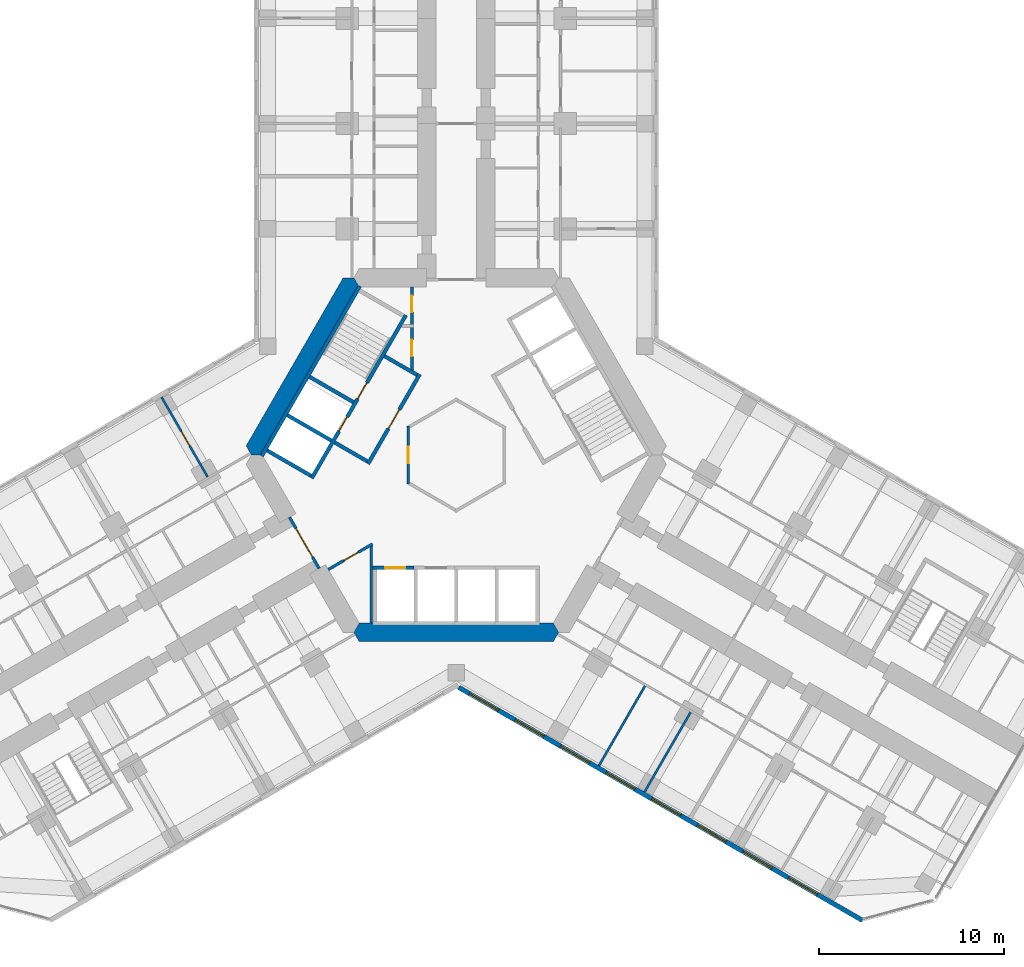
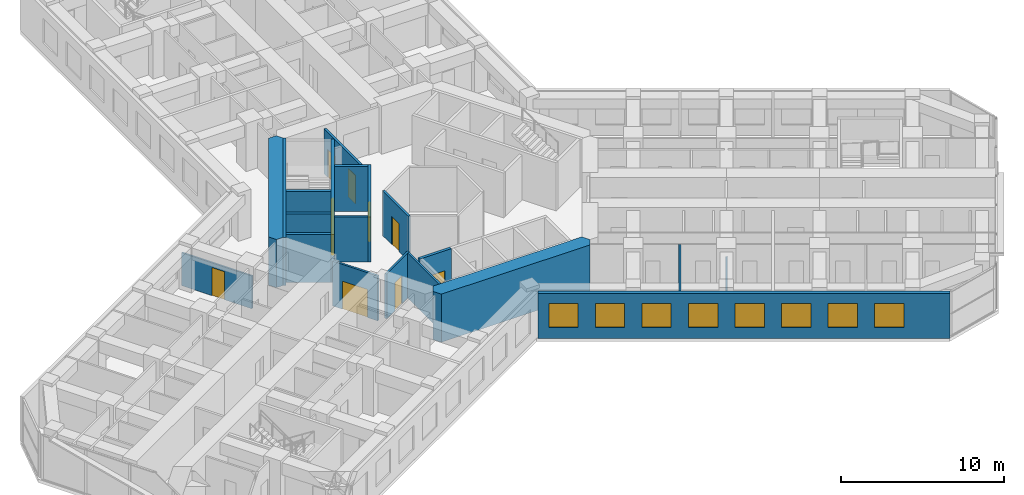
# One storey, part 13 of 21: 20 walls, 10 doors, 8 windows, 18 openings.
"""IFC4 building model written with IfcOpenShell, lengths in metres."""

from ifc_helpers import new_model, si_unit, direction, frame, frame_2d, origin, place, context, subcontext, project, spatial, polyline, rectangle, outline, extrude, material, layer, layer_set, type_object, element, fill, save


model = new_model("IFC4")

# Units and contexts
model_context = context("Model", 3, precision=1e-05, world=origin(), true_north=direction((0.0, 1.0)))
body_context = subcontext(model_context, "Body", "Model", "MODEL_VIEW")
ifc_project = project(units=[si_unit("LENGTHUNIT", "METRE"), si_unit("AREAUNIT", "SQUARE_METRE"), si_unit("VOLUMEUNIT", "CUBIC_METRE"), si_unit("PLANEANGLEUNIT", "RADIAN"), si_unit("MASSUNIT", "GRAM", prefix="KILO")], contexts=[model_context])

# Site, building, storey
site_placement = place(None, origin())
site = spatial("IfcSite", under=ifc_project, at=site_placement, CompositionType="ELEMENT")
building_placement = place(site_placement, origin())
building = spatial("IfcBuilding", under=site, at=building_placement, Name="Kosmar Iwan School Tower", CompositionType="ELEMENT")
storey_placement = place(building_placement, frame((0.0, 0.0, 102.39990234375)))
storey = spatial("IfcBuildingStorey", under=building, at=storey_placement, Name="L25", CompositionType="ELEMENT", Elevation=102.39990234375)

# Wall, openings, doors
ifc_material_1 = material(Name="Gypsum board on steel studs, fire-rated", Category="steel")
ifc_layer_1 = layer(ifc_material_1, 0.14990234375)
ifc_layer_set_1 = layer_set([ifc_layer_1], Name="Core room partition 150")
wall_type_1 = type_object("IfcWallType", Name="Core room partition 150", PredefinedType="PARTITIONING", material=ifc_layer_set_1)
wall_1_placement = place(storey_placement, frame((-2.39990234375, 9.094970703125, 0.0), z_axis=(0.0, 0.0, 1.0), x_axis=(0.0, -1.0, 0.0)))
wall_1 = element("IfcWall", 1, at=wall_1_placement, inside=storey, type_object=wall_type_1, Name="Core room partition L25-CW1", PredefinedType="PARTITIONING", context=body_context, shape_type="SweptSolid", body=[
    extrude(rectangle(XDim=4.564208984375, YDim=0.14990234375, at=frame_2d((2.2822265625, 0.0))), origin(), (0.0, 0.0, 1.0), 3.35009765625),
])
opening_1_placement = place(wall_1_placement, frame((0.455078125, 0.0, 0.0)))
opening_1 = element("IfcOpeningElement", 2, at=opening_1_placement, cuts=wall_1, Name="Opening D14", PredefinedType="OPENING", context=body_context, shape_type="SweptSolid", body=[
    extrude(rectangle(XDim=0.89990234375, YDim=2.10009765625, at=frame_2d((0.449951171875, 1.050048828125))), frame((0.0, 0.0869140625, 0.0), z_axis=(0.0, -1.0, 0.0), x_axis=(1.0, 0.0, 0.0)), (0.0, 0.0, 1.0), 0.173828125),
])
opening_2_placement = place(wall_1_placement, frame((2.85498046875, 0.0, 0.0)))
opening_2 = element("IfcOpeningElement", 3, at=opening_2_placement, cuts=wall_1, Name="Opening D14", PredefinedType="OPENING", context=body_context, shape_type="SweptSolid", body=[
    extrude(rectangle(XDim=0.89990234375, YDim=2.10009765625, at=frame_2d((0.449951171875, 1.050048828125))), frame((0.0, 0.0869140625, 0.0), z_axis=(0.0, -1.0, 0.0), x_axis=(1.0, 0.0, 0.0)), (0.0, 0.0, 1.0), 0.173828125),
])
ifc_material_2 = material(Name="Timber fire door in steel frame", Category="steel")
door_type_1 = type_object("IfcDoorType", Name="Core room door 900x2100", OperationType="SINGLE_SWING_LEFT", PredefinedType="DOOR", material=ifc_material_2)
door_1_placement = place(opening_1_placement, origin())
door_1 = element("IfcDoor", 4, at=door_1_placement, inside=storey, type_object=door_type_1, Name="Electrical riser and switch room door L25 1", OperationType="SINGLE_SWING_LEFT", OverallHeight=2.10009765625, OverallWidth=0.89990234375, PredefinedType="DOOR", context=body_context, shape_type="SweptSolid", body=[
    extrude(rectangle(XDim=0.89990234375, YDim=2.10009765625, at=frame_2d((0.449951171875, 1.050048828125))), frame((0.0, 0.02490234375, 0.0), z_axis=(0.0, -1.0, 0.0), x_axis=(1.0, 0.0, 0.0)), (0.0, 0.0, 1.0), 0.050048828125),
])
fill(opening_1, door_1)
door_2_placement = place(opening_2_placement, origin())
door_2 = element("IfcDoor", 5, at=door_2_placement, inside=storey, type_object=door_type_1, Name="Plumbing and wet riser door L25 2", OperationType="SINGLE_SWING_RIGHT", OverallHeight=2.10009765625, OverallWidth=0.89990234375, PredefinedType="DOOR", context=body_context, shape_type="SweptSolid", body=[
    extrude(rectangle(XDim=0.89990234375, YDim=2.10009765625, at=frame_2d((0.449951171875, 1.050048828125))), frame((0.0, 0.02490234375, 0.0), z_axis=(0.0, -1.0, 0.0), x_axis=(1.0, 0.0, 0.0)), (0.0, 0.0, 1.0), 0.050048828125),
])
fill(opening_2, door_2)

# Wall, opening, door
wall_2_placement = place(storey_placement, frame((-2.60009765625, -1.576171875, 0.0), z_axis=(0.0, 0.0, 1.0), x_axis=(0.0, 1.0, 0.0)))
wall_2 = element("IfcWall", 6, at=wall_2_placement, inside=storey, type_object=wall_type_1, Name="Core room partition L25-CW6", PredefinedType="PARTITIONING", context=body_context, shape_type="SweptSolid", body=[
    extrude(rectangle(XDim=3.15234375, YDim=0.14990234375, at=frame_2d((1.576171875, 0.0))), origin(), (0.0, 0.0, 1.0), 3.35009765625),
])
opening_3_placement = place(wall_2_placement, frame((1.1259765625, 0.0, 0.0)))
opening_3 = element("IfcOpeningElement", 7, at=opening_3_placement, cuts=wall_2, Name="Opening D14", PredefinedType="OPENING", context=body_context, shape_type="SweptSolid", body=[
    extrude(rectangle(XDim=0.89990234375, YDim=2.10009765625, at=frame_2d((0.449951171875, 1.050048828125))), frame((0.0, 0.0869140625, 0.0), z_axis=(0.0, -1.0, 0.0), x_axis=(1.0, 0.0, 0.0)), (0.0, 0.0, 1.0), 0.173828125),
])
door_3_placement = place(opening_3_placement, origin())
door_3 = element("IfcDoor", 8, at=door_3_placement, inside=storey, type_object=door_type_1, Name="Parcel room door L25 3", OperationType="SINGLE_SWING_LEFT", OverallHeight=2.10009765625, OverallWidth=0.89990234375, PredefinedType="DOOR", context=body_context, shape_type="SweptSolid", body=[
    extrude(rectangle(XDim=0.89990234375, YDim=2.10009765625, at=frame_2d((0.449951171875, 1.050048828125))), frame((0.0, 0.02490234375, 0.0), z_axis=(0.0, -1.0, 0.0), x_axis=(1.0, 0.0, 0.0)), (0.0, 0.0, 1.0), 0.050048828125),
])
fill(opening_3, door_3)

wall_3_placement = place(storey_placement, frame((-6.930908203125, -6.195556640625, 0.0), z_axis=(0.0, 0.0, 1.0), x_axis=(0.866007755774, 0.500030566006, 0.0)))
wall_3 = element("IfcWall", 9, at=wall_3_placement, inside=storey, type_object=wall_type_1, Name="Core room partition L25-CW10", PredefinedType="PARTITIONING", context=body_context, shape_type="SweptSolid", body=[
    extrude(rectangle(XDim=2.766357421875, YDim=0.14990234375, at=frame_2d((1.38330078125, 0.0))), origin(), (0.0, 0.0, 1.0), 3.35009765625),
])
opening_4_placement = place(wall_3_placement, frame((0.97607421875, 0.0, 0.0)))
opening_4 = element("IfcOpeningElement", 10, at=opening_4_placement, cuts=wall_3, Name="Opening D14", PredefinedType="OPENING", context=body_context, shape_type="SweptSolid", body=[
    extrude(rectangle(XDim=0.89990234375, YDim=2.10009765625, at=frame_2d((0.449951171875, 1.050048828125))), frame((0.0, 0.0869140625, 0.0), z_axis=(0.0, -1.0, 0.0), x_axis=(1.0, 0.0, 0.0)), (0.0, 0.0, 1.0), 0.173828125),
])
door_4_placement = place(opening_4_placement, origin())
door_4 = element("IfcDoor", 11, at=door_4_placement, inside=storey, type_object=door_type_1, Name="Cleaner's store door L25 4", OperationType="SINGLE_SWING_RIGHT", OverallHeight=2.10009765625, OverallWidth=0.89990234375, PredefinedType="DOOR", context=body_context, shape_type="SweptSolid", body=[
    extrude(rectangle(XDim=0.89990234375, YDim=2.10009765625, at=frame_2d((0.449951171875, 1.050048828125))), frame((0.0, 0.02490234375, 0.0), z_axis=(0.0, -1.0, 0.0), x_axis=(1.0, 0.0, 0.0)), (0.0, 0.0, 1.0), 0.050048828125),
])
fill(opening_4, door_4)

# Walls
wall_4_placement = place(storey_placement, frame((-4.60009765625, -4.774658203125, 0.0), z_axis=(0.0, 0.0, 1.0), x_axis=(0.0, -1.0, 0.0)))
element("IfcWall", 12, at=wall_4_placement, inside=storey, type_object=wall_type_1, Name="Core room partition L25-CW11", PredefinedType="PARTITIONING", context=body_context, shape_type="SweptSolid", body=[
    extrude(rectangle(XDim=4.3203125, YDim=0.14990234375, at=frame_2d((2.16015625, 0.0))), origin(), (0.0, 0.0, 1.0), 3.35009765625),
])
ifc_material_3 = material(Name="Concrete C50/60", Category="concrete")
ifc_layer_2 = layer(ifc_material_3, 1.0)
ifc_layer_set_2 = layer_set([ifc_layer_2], Name="Core wall 1000")
wall_type_2 = type_object("IfcWallType", Name="Core wall 1000", PredefinedType="SHEAR", material=ifc_layer_set_2)
wall_5_placement = place(storey_placement, origin())
element("IfcWall", 13, at=wall_5_placement, inside=storey, type_object=wall_type_2, Name="Core wall F150", PredefinedType="SHEAR", context=body_context, shape_type="SweptSolid", body=[
    extrude(outline(polyline([(-11.085205078125, 0.0), (-10.5078125, 0.0), (-5.25390625, 9.10009765625), (-5.54248046875, 9.60009765625), (-6.119873046875, 9.60009765625), (-11.373779296875, 0.5), (-11.085205078125, 0.0)])), origin(), (0.0, 0.0, 1.0), 3.60009765625),
])
wall_6_placement = place(storey_placement, origin())
element("IfcWall", 14, at=wall_6_placement, inside=storey, type_object=wall_type_2, Name="Core wall F270", PredefinedType="SHEAR", context=body_context, shape_type="SweptSolid", body=[
    extrude(outline(polyline([(-5.25390625, -10.10009765625), (5.25390625, -10.10009765625), (5.54248046875, -9.60009765625), (5.25390625, -9.10009765625), (-5.25390625, -9.10009765625), (-5.54248046875, -9.60009765625), (-5.25390625, -10.10009765625)])), origin(), (0.0, 0.0, 1.0), 3.60009765625),
])

# Wall, opening, door
ifc_material_4 = material(Name="Steel framed glazed screen", Category="steel")
ifc_layer_3 = layer(ifc_material_4, 0.14990234375)
ifc_layer_set_3 = layer_set([ifc_layer_3], Name="Corridor screen wall 150")
wall_type_3 = type_object("IfcWallType", Name="Corridor screen wall 150", PredefinedType="PARTITIONING", material=ifc_layer_set_3)
wall_7_placement = place(storey_placement, frame((-9.02734375, -3.3642578125, 0.0), z_axis=(0.0, 0.0, 1.0), x_axis=(0.499995408039, -0.866028054938, 0.0)))
wall_7 = element("IfcWall", 15, at=wall_7_placement, inside=storey, type_object=wall_type_3, Name="Corridor screen B L25", PredefinedType="PARTITIONING", context=body_context, shape_type="SweptSolid", body=[
    extrude(rectangle(XDim=3.2001953125, YDim=0.14990234375, at=frame_2d((1.60009765625, 0.0))), origin(), (0.0, 0.0, 1.0), 3.35009765625),
])
opening_5_placement = place(wall_7_placement, frame((0.699951171875, 0.0, 0.0)))
opening_5 = element("IfcOpeningElement", 16, at=opening_5_placement, cuts=wall_7, Name="Opening D9", PredefinedType="OPENING", context=body_context, shape_type="SweptSolid", body=[
    extrude(rectangle(XDim=1.800048828125, YDim=2.10009765625, at=frame_2d((0.89990234375, 1.050048828125))), frame((0.0, 0.0869140625, 0.0), z_axis=(0.0, -1.0, 0.0), x_axis=(1.0, 0.0, 0.0)), (0.0, 0.0, 1.0), 0.173828125),
])
ifc_material_5 = material(Name="Steel framed glazed smoke door", Category="steel")
door_type_2 = type_object("IfcDoorType", Name="Corridor smoke door pair 1800x2100", OperationType="DOUBLE_DOOR_DOUBLE_SWING", PredefinedType="DOOR", material=ifc_material_5)
door_5_placement = place(opening_5_placement, origin())
door_5 = element("IfcDoor", 17, at=door_5_placement, inside=storey, type_object=door_type_2, Name="Corridor doors B L25", OperationType="DOUBLE_DOOR_DOUBLE_SWING", OverallHeight=2.10009765625, OverallWidth=1.800048828125, PredefinedType="DOOR", context=body_context, shape_type="SweptSolid", body=[
    extrude(rectangle(XDim=1.800048828125, YDim=2.10009765625, at=frame_2d((0.89990234375, 1.050048828125))), frame((0.0, 0.02490234375, 0.0), z_axis=(0.0, -1.0, 0.0), x_axis=(1.0, 0.0, 0.0)), (0.0, 0.0, 1.0), 0.050048828125),
])
fill(opening_5, door_5)

ifc_material_6 = material(Name="Gypsum board on steel studs", Category="steel")
ifc_layer_4 = layer(ifc_material_6, 0.1201171875)
ifc_layer_set_4 = layer_set([ifc_layer_4], Name="Dwelling partition 120")
wall_type_4 = type_object("IfcWallType", Name="Dwelling partition 120", PredefinedType="PARTITIONING", material=ifc_layer_set_4)
wall_8_placement = place(storey_placement, frame((-13.4638671875, -1.179931640625, 0.0), z_axis=(0.0, 0.0, 1.0), x_axis=(-0.499975153383, 0.86603974851, 0.0)))
wall_8 = element("IfcWall", 18, at=wall_8_placement, inside=storey, type_object=wall_type_4, Name="Partition L25-BR1-X1", PredefinedType="PARTITIONING", context=body_context, shape_type="SweptSolid", body=[
    extrude(rectangle(XDim=4.989990234375, YDim=0.1201171875, at=frame_2d((2.4951171875, 0.0))), origin(), (0.0, 0.0, 1.0), 2.4501953125),
])
opening_6_placement = place(wall_8_placement, frame((1.93994140625, 0.0, 0.0)))
opening_6 = element("IfcOpeningElement", 19, at=opening_6_placement, cuts=wall_8, Name="Opening D2", PredefinedType="OPENING", context=body_context, shape_type="SweptSolid", body=[
    extrude(rectangle(XDim=0.89990234375, YDim=2.10009765625, at=frame_2d((0.449951171875, 1.050048828125))), frame((0.0, 0.072021484375, 0.0), z_axis=(0.0, -1.0, 0.0), x_axis=(1.0, 0.0, 0.0)), (0.0, 0.0, 1.0), 0.14404296875),
])
ifc_material_7 = material(Name="Timber door in timber frame", Category="wood")
door_type_3 = type_object("IfcDoorType", Name="Internal door 900x2100", OperationType="SINGLE_SWING_LEFT", PredefinedType="DOOR", material=ifc_material_7)
door_6_placement = place(opening_6_placement, origin())
door_6 = element("IfcDoor", 20, at=door_6_placement, inside=storey, type_object=door_type_3, Name="Kitchen and dining room door L25-BR1-F1", OperationType="SINGLE_SWING_LEFT", OverallHeight=2.10009765625, OverallWidth=0.89990234375, PredefinedType="DOOR", context=body_context, shape_type="SweptSolid", body=[
    extrude(rectangle(XDim=0.89990234375, YDim=2.10009765625, at=frame_2d((0.449951171875, 1.050048828125))), frame((0.0, 0.02490234375, 0.0), z_axis=(0.0, -1.0, 0.0), x_axis=(1.0, 0.0, 0.0)), (0.0, 0.0, 1.0), 0.050048828125),
])
fill(opening_6, door_6)

# Walls
wall_9_placement = place(storey_placement, frame((10.221923828125, -12.4951171875, 0.0), z_axis=(0.0, 0.0, 1.0), x_axis=(-0.499996339024, -0.86602751744, 0.0)))
element("IfcWall", 21, at=wall_9_placement, inside=storey, type_object=wall_type_4, Name="Partition L25-CR1-X1", PredefinedType="PARTITIONING", context=body_context, shape_type="SweptSolid", body=[
    extrude(rectangle(XDim=4.98974609375, YDim=0.1201171875, at=frame_2d((2.494873046875, 0.0))), origin(), (0.0, 0.0, 1.0), 3.35009765625),
])
wall_10_placement = place(storey_placement, frame((12.690185546875, -13.919921875, 0.0), z_axis=(0.0, 0.0, 1.0), x_axis=(-0.500011847778, -0.866018563358, 0.0)))
element("IfcWall", 22, at=wall_10_placement, inside=storey, type_object=wall_type_4, Name="Partition L25-CR1-X2", PredefinedType="PARTITIONING", context=body_context, shape_type="SweptSolid", body=[
    extrude(rectangle(XDim=4.990234375, YDim=0.1201171875, at=frame_2d((2.4951171875, 0.0))), origin(), (0.0, 0.0, 1.0), 2.4501953125),
])

# Wall, openings, windows
ifc_material_8 = material(Name="Black aluminium rainscreen on insulated framing", Category="aluminium")
ifc_layer_5 = layer(ifc_material_8, 0.25)
ifc_layer_set_5 = layer_set([ifc_layer_5], Name="External wall rainscreen 250")
wall_type_5 = type_object("IfcWallType", Name="External wall rainscreen 250", PredefinedType="SOLIDWALL", material=ifc_layer_set_5)
wall_11_placement = place(storey_placement, frame((0.137939453125, -12.5791015625, 0.0), z_axis=(0.0, 0.0, 1.0), x_axis=(0.866023775649, -0.500002820003, 0.0)))
wall_11 = element("IfcWall", 23, at=wall_11_placement, inside=storey, type_object=wall_type_5, Name="External wall CR L25", PredefinedType="SOLIDWALL", context=body_context, shape_type="SweptSolid", body=[
    extrude(rectangle(XDim=25.226318359375, YDim=0.25, at=frame_2d((12.61328125, 0.0))), origin(), (0.0, 0.0, 1.0), 3.35009765625),
])
opening_7_placement = place(wall_11_placement, frame((0.666015625, 0.0, 0.800048828125)))
opening_7 = element("IfcOpeningElement", 24, at=opening_7_placement, cuts=wall_11, Name="Opening W1", PredefinedType="OPENING", context=body_context, shape_type="SweptSolid", body=[
    extrude(rectangle(XDim=1.800048828125, YDim=1.800048828125, at=frame_2d((0.89990234375, 0.89990234375))), frame((0.0, 0.136962890625, 0.0), z_axis=(0.0, -1.0, 0.0), x_axis=(1.0, 0.0, 0.0)), (0.0, 0.0, 1.0), 0.27392578125),
])
opening_8_placement = place(wall_11_placement, frame((3.51611328125, 0.0, 0.800048828125)))
opening_8 = element("IfcOpeningElement", 25, at=opening_8_placement, cuts=wall_11, Name="Opening W1", PredefinedType="OPENING", context=body_context, shape_type="SweptSolid", body=[
    extrude(rectangle(XDim=1.800048828125, YDim=1.800048828125, at=frame_2d((0.89990234375, 0.89990234375))), frame((0.0, 0.136962890625, 0.0), z_axis=(0.0, -1.0, 0.0), x_axis=(1.0, 0.0, 0.0)), (0.0, 0.0, 1.0), 0.27392578125),
])
opening_9_placement = place(wall_11_placement, frame((6.365966796875, 0.0, 0.800048828125)))
opening_9 = element("IfcOpeningElement", 26, at=opening_9_placement, cuts=wall_11, Name="Opening W1", PredefinedType="OPENING", context=body_context, shape_type="SweptSolid", body=[
    extrude(rectangle(XDim=1.800048828125, YDim=1.800048828125, at=frame_2d((0.89990234375, 0.89990234375))), frame((0.0, 0.136962890625, 0.0), z_axis=(0.0, -1.0, 0.0), x_axis=(1.0, 0.0, 0.0)), (0.0, 0.0, 1.0), 0.27392578125),
])
opening_10_placement = place(wall_11_placement, frame((9.216064453125, 0.0, 0.800048828125)))
opening_10 = element("IfcOpeningElement", 27, at=opening_10_placement, cuts=wall_11, Name="Opening W1", PredefinedType="OPENING", context=body_context, shape_type="SweptSolid", body=[
    extrude(rectangle(XDim=1.800048828125, YDim=1.800048828125, at=frame_2d((0.89990234375, 0.89990234375))), frame((0.0, 0.136962890625, 0.0), z_axis=(0.0, -1.0, 0.0), x_axis=(1.0, 0.0, 0.0)), (0.0, 0.0, 1.0), 0.27392578125),
])
opening_11_placement = place(wall_11_placement, frame((12.06591796875, 0.0, 0.800048828125)))
opening_11 = element("IfcOpeningElement", 28, at=opening_11_placement, cuts=wall_11, Name="Opening W1", PredefinedType="OPENING", context=body_context, shape_type="SweptSolid", body=[
    extrude(rectangle(XDim=1.800048828125, YDim=1.800048828125, at=frame_2d((0.89990234375, 0.89990234375))), frame((0.0, 0.136962890625, 0.0), z_axis=(0.0, -1.0, 0.0), x_axis=(1.0, 0.0, 0.0)), (0.0, 0.0, 1.0), 0.27392578125),
])
opening_12_placement = place(wall_11_placement, frame((14.916015625, 0.0, 0.800048828125)))
opening_12 = element("IfcOpeningElement", 29, at=opening_12_placement, cuts=wall_11, Name="Opening W1", PredefinedType="OPENING", context=body_context, shape_type="SweptSolid", body=[
    extrude(rectangle(XDim=1.800048828125, YDim=1.800048828125, at=frame_2d((0.89990234375, 0.89990234375))), frame((0.0, 0.136962890625, 0.0), z_axis=(0.0, -1.0, 0.0), x_axis=(1.0, 0.0, 0.0)), (0.0, 0.0, 1.0), 0.27392578125),
])
opening_13_placement = place(wall_11_placement, frame((17.76611328125, 0.0, 0.800048828125)))
opening_13 = element("IfcOpeningElement", 30, at=opening_13_placement, cuts=wall_11, Name="Opening W1", PredefinedType="OPENING", context=body_context, shape_type="SweptSolid", body=[
    extrude(rectangle(XDim=1.800048828125, YDim=1.800048828125, at=frame_2d((0.89990234375, 0.89990234375))), frame((0.0, 0.136962890625, 0.0), z_axis=(0.0, -1.0, 0.0), x_axis=(1.0, 0.0, 0.0)), (0.0, 0.0, 1.0), 0.27392578125),
])
opening_14_placement = place(wall_11_placement, frame((20.615966796875, 0.0, 0.800048828125)))
opening_14 = element("IfcOpeningElement", 31, at=opening_14_placement, cuts=wall_11, Name="Opening W1", PredefinedType="OPENING", context=body_context, shape_type="SweptSolid", body=[
    extrude(rectangle(XDim=1.800048828125, YDim=1.800048828125, at=frame_2d((0.89990234375, 0.89990234375))), frame((0.0, 0.136962890625, 0.0), z_axis=(0.0, -1.0, 0.0), x_axis=(1.0, 0.0, 0.0)), (0.0, 0.0, 1.0), 0.27392578125),
])
ifc_material_9 = material(Name="Black aluminium frame with dark triple glazing", Category="aluminium")
window_type = type_object("IfcWindowType", Name="Window 1800x1800", PartitioningType="SINGLE_PANEL", PredefinedType="WINDOW", material=ifc_material_9)
window_1_placement = place(opening_7_placement, origin())
window_1 = element("IfcWindow", 32, at=window_1_placement, inside=storey, type_object=window_type, Name="Window CR L25 -1", OverallHeight=1.800048828125, OverallWidth=1.800048828125, PartitioningType="SINGLE_PANEL", PredefinedType="WINDOW", context=body_context, shape_type="SweptSolid", body=[
    extrude(rectangle(XDim=1.800048828125, YDim=1.800048828125, at=frame_2d((0.89990234375, 0.89990234375))), frame((0.0, 0.030029296875, 0.0), z_axis=(0.0, -1.0, 0.0), x_axis=(1.0, 0.0, 0.0)), (0.0, 0.0, 1.0), 0.06005859375),
])
fill(opening_7, window_1)
window_2_placement = place(opening_8_placement, origin())
window_2 = element("IfcWindow", 33, at=window_2_placement, inside=storey, type_object=window_type, Name="Window CR L25 0", OverallHeight=1.800048828125, OverallWidth=1.800048828125, PartitioningType="SINGLE_PANEL", PredefinedType="WINDOW", context=body_context, shape_type="SweptSolid", body=[
    extrude(rectangle(XDim=1.800048828125, YDim=1.800048828125, at=frame_2d((0.89990234375, 0.89990234375))), frame((0.0, 0.030029296875, 0.0), z_axis=(0.0, -1.0, 0.0), x_axis=(1.0, 0.0, 0.0)), (0.0, 0.0, 1.0), 0.06005859375),
])
fill(opening_8, window_2)
window_3_placement = place(opening_9_placement, origin())
window_3 = element("IfcWindow", 34, at=window_3_placement, inside=storey, type_object=window_type, Name="Window CR L25 1", OverallHeight=1.800048828125, OverallWidth=1.800048828125, PartitioningType="SINGLE_PANEL", PredefinedType="WINDOW", context=body_context, shape_type="SweptSolid", body=[
    extrude(rectangle(XDim=1.800048828125, YDim=1.800048828125, at=frame_2d((0.89990234375, 0.89990234375))), frame((0.0, 0.030029296875, 0.0), z_axis=(0.0, -1.0, 0.0), x_axis=(1.0, 0.0, 0.0)), (0.0, 0.0, 1.0), 0.06005859375),
])
fill(opening_9, window_3)
window_4_placement = place(opening_10_placement, origin())
window_4 = element("IfcWindow", 35, at=window_4_placement, inside=storey, type_object=window_type, Name="Window CR L25 2", OverallHeight=1.800048828125, OverallWidth=1.800048828125, PartitioningType="SINGLE_PANEL", PredefinedType="WINDOW", context=body_context, shape_type="SweptSolid", body=[
    extrude(rectangle(XDim=1.800048828125, YDim=1.800048828125, at=frame_2d((0.89990234375, 0.89990234375))), frame((0.0, 0.030029296875, 0.0), z_axis=(0.0, -1.0, 0.0), x_axis=(1.0, 0.0, 0.0)), (0.0, 0.0, 1.0), 0.06005859375),
])
fill(opening_10, window_4)
window_5_placement = place(opening_11_placement, origin())
window_5 = element("IfcWindow", 36, at=window_5_placement, inside=storey, type_object=window_type, Name="Window CR L25 3", OverallHeight=1.800048828125, OverallWidth=1.800048828125, PartitioningType="SINGLE_PANEL", PredefinedType="WINDOW", context=body_context, shape_type="SweptSolid", body=[
    extrude(rectangle(XDim=1.800048828125, YDim=1.800048828125, at=frame_2d((0.89990234375, 0.89990234375))), frame((0.0, 0.030029296875, 0.0), z_axis=(0.0, -1.0, 0.0), x_axis=(1.0, 0.0, 0.0)), (0.0, 0.0, 1.0), 0.06005859375),
])
fill(opening_11, window_5)
window_6_placement = place(opening_12_placement, origin())
window_6 = element("IfcWindow", 37, at=window_6_placement, inside=storey, type_object=window_type, Name="Window CR L25 4", OverallHeight=1.800048828125, OverallWidth=1.800048828125, PartitioningType="SINGLE_PANEL", PredefinedType="WINDOW", context=body_context, shape_type="SweptSolid", body=[
    extrude(rectangle(XDim=1.800048828125, YDim=1.800048828125, at=frame_2d((0.89990234375, 0.89990234375))), frame((0.0, 0.030029296875, 0.0), z_axis=(0.0, -1.0, 0.0), x_axis=(1.0, 0.0, 0.0)), (0.0, 0.0, 1.0), 0.06005859375),
])
fill(opening_12, window_6)
window_7_placement = place(opening_13_placement, origin())
window_7 = element("IfcWindow", 38, at=window_7_placement, inside=storey, type_object=window_type, Name="Window CR L25 5", OverallHeight=1.800048828125, OverallWidth=1.800048828125, PartitioningType="SINGLE_PANEL", PredefinedType="WINDOW", context=body_context, shape_type="SweptSolid", body=[
    extrude(rectangle(XDim=1.800048828125, YDim=1.800048828125, at=frame_2d((0.89990234375, 0.89990234375))), frame((0.0, 0.030029296875, 0.0), z_axis=(0.0, -1.0, 0.0), x_axis=(1.0, 0.0, 0.0)), (0.0, 0.0, 1.0), 0.06005859375),
])
fill(opening_13, window_7)
window_8_placement = place(opening_14_placement, origin())
window_8 = element("IfcWindow", 39, at=window_8_placement, inside=storey, type_object=window_type, Name="Window CR L25 6", OverallHeight=1.800048828125, OverallWidth=1.800048828125, PartitioningType="SINGLE_PANEL", PredefinedType="WINDOW", context=body_context, shape_type="SweptSolid", body=[
    extrude(rectangle(XDim=1.800048828125, YDim=1.800048828125, at=frame_2d((0.89990234375, 0.89990234375))), frame((0.0, 0.030029296875, 0.0), z_axis=(0.0, -1.0, 0.0), x_axis=(1.0, 0.0, 0.0)), (0.0, 0.0, 1.0), 0.06005859375),
])
fill(opening_14, window_8)

# Wall, opening, door
ifc_material_10 = material(Name="Concrete block masonry", Category="masonry")
ifc_layer_6 = layer(ifc_material_10, 0.199951171875)
ifc_layer_set_6 = layer_set([ifc_layer_6], Name="Fire lobby wall 200")
wall_type_6 = type_object("IfcWallType", Name="Fire lobby wall 200", PredefinedType="PARTITIONING", material=ifc_layer_set_6)
wall_12_placement = place(storey_placement, frame((-1.9775390625, 4.374755859375, 0.0), z_axis=(0.0, 0.0, 1.0), x_axis=(-0.500016814911, -0.866015695474, 0.0)))
wall_12 = element("IfcWall", 40, at=wall_12_placement, inside=storey, type_object=wall_type_6, Name="Firefighting lobby wall ST2", PredefinedType="PARTITIONING", context=body_context, shape_type="SweptSolid", body=[
    extrude(rectangle(XDim=5.599853515625, YDim=0.199951171875, at=frame_2d((2.7998046875, 0.0))), origin(), (0.0, 0.0, 1.0), 3.35009765625),
])
opening_15_placement = place(wall_12_placement, frame((2.199951171875, 0.0, 0.0)))
opening_15 = element("IfcOpeningElement", 41, at=opening_15_placement, cuts=wall_12, Name="Opening D7", PredefinedType="OPENING", context=body_context, shape_type="SweptSolid", body=[
    extrude(rectangle(XDim=1.199951171875, YDim=2.10009765625, at=frame_2d((0.60009765625, 1.050048828125))), frame((0.0, 0.112060546875, 0.0), z_axis=(0.0, -1.0, 0.0), x_axis=(1.0, 0.0, 0.0)), (0.0, 0.0, 1.0), 0.223876953125),
])
ifc_material_11 = material(Name="Steel fire door", Category="steel")
door_type_4 = type_object("IfcDoorType", Name="Fire lobby door 1200x2100", OperationType="SINGLE_SWING_LEFT", PredefinedType="DOOR", material=ifc_material_11)
door_7_placement = place(opening_15_placement, frame((1.199951171875, 0.0, 0.0), z_axis=(0.0, 0.0, 1.0), x_axis=(-1.0, 0.0, 0.0)))
door_7 = element("IfcDoor", 42, at=door_7_placement, inside=storey, type_object=door_type_4, Name="Firefighting lobby door ST2 L25", OperationType="SINGLE_SWING_LEFT", OverallHeight=2.10009765625, OverallWidth=1.199951171875, PredefinedType="DOOR", context=body_context, shape_type="SweptSolid", body=[
    extrude(rectangle(XDim=1.199951171875, YDim=2.10009765625, at=frame_2d((0.60009765625, 1.050048828125))), frame((0.0, 0.02490234375, 0.0), z_axis=(0.0, -1.0, 0.0), x_axis=(1.0, 0.0, 0.0)), (0.0, 0.0, 1.0), 0.050048828125),
])
fill(opening_15, door_7)

# Walls
wall_13_placement = place(storey_placement, frame((-2.114013671875, 4.33837890625, 0.0), z_axis=(0.0, 0.0, 1.0), x_axis=(-0.866050731258, 0.499956128963, 0.0)))
element("IfcWall", 43, at=wall_13_placement, inside=storey, type_object=wall_type_6, Name="Firefighting lobby wall ST2", PredefinedType="PARTITIONING", context=body_context, shape_type="SweptSolid", body=[
    extrude(rectangle(XDim=2.050048828125, YDim=0.199951171875, at=frame_2d((1.02490234375, 0.0))), origin(), (0.0, 0.0, 1.0), 3.35009765625),
])
wall_14_placement = place(storey_placement, frame((-4.814208984375, -0.33837890625, 0.0), z_axis=(0.0, 0.0, 1.0), x_axis=(-0.865969381856, 0.500097020274, 0.0)))
element("IfcWall", 44, at=wall_14_placement, inside=storey, type_object=wall_type_6, Name="Firefighting lobby wall ST2", PredefinedType="PARTITIONING", context=body_context, shape_type="SweptSolid", body=[
    extrude(rectangle(XDim=2.0498046875, YDim=0.199951171875, at=frame_2d((1.02490234375, 0.0))), origin(), (0.0, 0.0, 1.0), 3.35009765625),
])

# Wall, openings, doors
ifc_material_12 = material(Name="Concrete C50/60", Category="concrete")
ifc_layer_7 = layer(ifc_material_12, 0.199951171875)
ifc_layer_set_7 = layer_set([ifc_layer_7], Name="Lift shaft wall 200")
wall_type_7 = type_object("IfcWallType", Name="Lift shaft wall 200", PredefinedType="SHEAR", material=ifc_layer_set_7)
wall_15_placement = place(storey_placement, frame((-2.72607421875, 7.578369140625, 0.0), z_axis=(0.0, 0.0, 1.0), x_axis=(-0.500005610874, -0.86602216432, 0.0)))
wall_15 = element("IfcWall", 45, at=wall_15_placement, inside=storey, type_object=wall_type_7, Name="Lift and stair front wall AB", PredefinedType="SHEAR", context=body_context, shape_type="SweptSolid", body=[
    extrude(rectangle(XDim=10.2001953125, YDim=0.199951171875, at=frame_2d((5.10009765625, 0.0))), origin(), (0.0, 0.0, 1.0), 3.60009765625),
])
opening_16_placement = place(wall_15_placement, frame((6.35009765625, 0.0, 0.0)))
opening_16 = element("IfcOpeningElement", 46, at=opening_16_placement, cuts=wall_15, Name="Opening LD2", PredefinedType="OPENING", context=body_context, shape_type="SweptSolid", body=[
    extrude(rectangle(XDim=0.89990234375, YDim=2.10009765625, at=frame_2d((0.449951171875, 1.050048828125))), frame((0.0, 0.112060546875, 0.0), z_axis=(0.0, -1.0, 0.0), x_axis=(1.0, 0.0, 0.0)), (0.0, 0.0, 1.0), 0.223876953125),
])
opening_17_placement = place(wall_15_placement, frame((4.22998046875, 0.0, 0.0)))
opening_17 = element("IfcOpeningElement", 47, at=opening_17_placement, cuts=wall_15, Name="Opening D6", PredefinedType="OPENING", context=body_context, shape_type="SweptSolid", body=[
    extrude(rectangle(XDim=1.0, YDim=2.10009765625, at=frame_2d((0.5, 1.050048828125))), frame((0.0, 0.112060546875, 0.0), z_axis=(0.0, -1.0, 0.0), x_axis=(1.0, 0.0, 0.0)), (0.0, 0.0, 1.0), 0.223876953125),
])
ifc_material_13 = material(Name="Stainless steel sliding lift door", Category="steel")
door_type_5 = type_object("IfcDoorType", Name="Firefighting lift landing door 900x2100", OperationType="SLIDING_TO_LEFT", PredefinedType="DOOR", material=ifc_material_13)
door_8_placement = place(opening_16_placement, origin())
door_8 = element("IfcDoor", 48, at=door_8_placement, inside=storey, type_object=door_type_5, Name="Lift FF2 landing door L25", OperationType="SLIDING_TO_LEFT", OverallHeight=2.10009765625, OverallWidth=0.89990234375, PredefinedType="DOOR", context=body_context, shape_type="SweptSolid", body=[
    extrude(rectangle(XDim=0.89990234375, YDim=2.10009765625, at=frame_2d((0.449951171875, 1.050048828125))), frame((0.0, 0.02490234375, 0.0), z_axis=(0.0, -1.0, 0.0), x_axis=(1.0, 0.0, 0.0)), (0.0, 0.0, 1.0), 0.050048828125),
])
fill(opening_16, door_8)
ifc_material_14 = material(Name="Steel fire door", Category="steel")
door_type_6 = type_object("IfcDoorType", Name="Stair door 1000x2100", OperationType="SINGLE_SWING_LEFT", PredefinedType="DOOR", material=ifc_material_14)
door_9_placement = place(opening_17_placement, origin())
door_9 = element("IfcDoor", 49, at=door_9_placement, inside=storey, type_object=door_type_6, Name="Stair ST2 door L25", OperationType="SINGLE_SWING_LEFT", OverallHeight=2.10009765625, OverallWidth=1.0, PredefinedType="DOOR", context=body_context, shape_type="SweptSolid", body=[
    extrude(rectangle(XDim=1.0, YDim=2.10009765625, at=frame_2d((0.5, 1.050048828125))), frame((0.0, 0.02490234375, 0.0), z_axis=(0.0, -1.0, 0.0), x_axis=(1.0, 0.0, 0.0)), (0.0, 0.0, 1.0), 0.050048828125),
])
fill(opening_17, door_9)

# Walls
wall_16_placement = place(storey_placement, frame((-5.22509765625, 9.14990234375, 0.0), z_axis=(0.0, 0.0, 1.0), x_axis=(-0.499994998079, -0.866028291626, 0.0)))
element("IfcWall", 50, at=wall_16_placement, inside=storey, type_object=wall_type_7, Name="Lift and stair back wall AB", PredefinedType="SHEAR", context=body_context, shape_type="SweptSolid", body=[
    extrude(rectangle(XDim=10.623046875, YDim=0.199951171875, at=frame_2d((5.3115234375, 0.0))), origin(), (0.0, 0.0, 1.0), 3.60009765625),
])
for number, where, z_axis, x_axis, name in (
    (51, (-6.7626953125, 0.78662109375, 0.0), (0.0, 0.0, 1.0), (-0.866027397988, 0.499996545922, 0.0), "Lift shaft wall AB 1"),
    (52, (-7.862548828125, -1.118408203125, 0.0), (0.0, 0.0, 1.0), (-0.866027397988, 0.499996545922, 0.0), "Lift shaft wall AB 2"),
):
    element("IfcWall", number, at=place(storey_placement, frame(where, z_axis=z_axis, x_axis=x_axis)), inside=storey, type_object=wall_type_7, Name=name, PredefinedType="SHEAR", context=body_context, shape_type="SweptSolid", body=[
        extrude(rectangle(XDim=2.75, YDim=0.199951171875, at=frame_2d((1.375, 0.0))), origin(), (0.0, 0.0, 1.0), 3.60009765625),
    ])

# Wall, opening, door
wall_17_placement = place(storey_placement, frame((-4.52490234375, -6.10009765625, 0.0), z_axis=(0.0, 0.0, 1.0), x_axis=(1.0, 0.0, 0.0)))
wall_17 = element("IfcWall", 53, at=wall_17_placement, inside=storey, type_object=wall_type_7, Name="Lift and stair front wall BC", PredefinedType="SHEAR", context=body_context, shape_type="SweptSolid", body=[
    extrude(rectangle(XDim=2.224853515625, YDim=0.199951171875, at=frame_2d((1.1123046875, 0.0))), origin(), (0.0, 0.0, 1.0), 3.60009765625),
])
opening_18_placement = place(wall_17_placement, frame((0.675048828125, 0.0, 0.0)))
opening_18 = element("IfcOpeningElement", 54, at=opening_18_placement, cuts=wall_17, Name="Opening LD1", PredefinedType="OPENING", context=body_context, shape_type="SweptSolid", body=[
    extrude(rectangle(XDim=1.10009765625, YDim=2.10009765625, at=frame_2d((0.550048828125, 1.050048828125))), frame((0.0, 0.112060546875, 0.0), z_axis=(0.0, -1.0, 0.0), x_axis=(1.0, 0.0, 0.0)), (0.0, 0.0, 1.0), 0.223876953125),
])
ifc_material_15 = material(Name="Stainless steel sliding lift door", Category="steel")
door_type_7 = type_object("IfcDoorType", Name="Lift landing door 1100x2100", OperationType="SLIDING_TO_LEFT", PredefinedType="DOOR", material=ifc_material_15)
door_10_placement = place(opening_18_placement, origin())
door_10 = element("IfcDoor", 55, at=door_10_placement, inside=storey, type_object=door_type_7, Name="Lift PL1 landing door L25", OperationType="SLIDING_TO_LEFT", OverallHeight=2.10009765625, OverallWidth=1.10009765625, PredefinedType="DOOR", context=body_context, shape_type="SweptSolid", body=[
    extrude(rectangle(XDim=1.10009765625, YDim=2.10009765625, at=frame_2d((0.550048828125, 1.050048828125))), frame((0.0, 0.02490234375, 0.0), z_axis=(0.0, -1.0, 0.0), x_axis=(1.0, 0.0, 0.0)), (0.0, 0.0, 1.0), 0.050048828125),
])
fill(opening_18, door_10)

# Wall
ifc_material_16 = material(Name="Concrete C50/60", Category="concrete")
ifc_layer_8 = layer(ifc_material_16, 0.199951171875)
ifc_layer_set_8 = layer_set([ifc_layer_8], Name="Stair enclosure wall 200")
wall_type_8 = type_object("IfcWallType", Name="Stair enclosure wall 200", PredefinedType="SHEAR", material=ifc_layer_set_8)
wall_18_placement = place(storey_placement, frame((-5.562744140625, 2.865234375, 0.0), z_axis=(0.0, 0.0, 1.0), x_axis=(-0.866027397988, 0.499996545922, 0.0)))
element("IfcWall", 56, at=wall_18_placement, inside=storey, type_object=wall_type_8, Name="Stair ST2 wall", PredefinedType="SHEAR", context=body_context, shape_type="SweptSolid", body=[
    extrude(rectangle(XDim=2.75, YDim=0.199951171875, at=frame_2d((1.375, 0.0))), origin(), (0.0, 0.0, 1.0), 3.60009765625),
])

save(model, "model.ifc")
